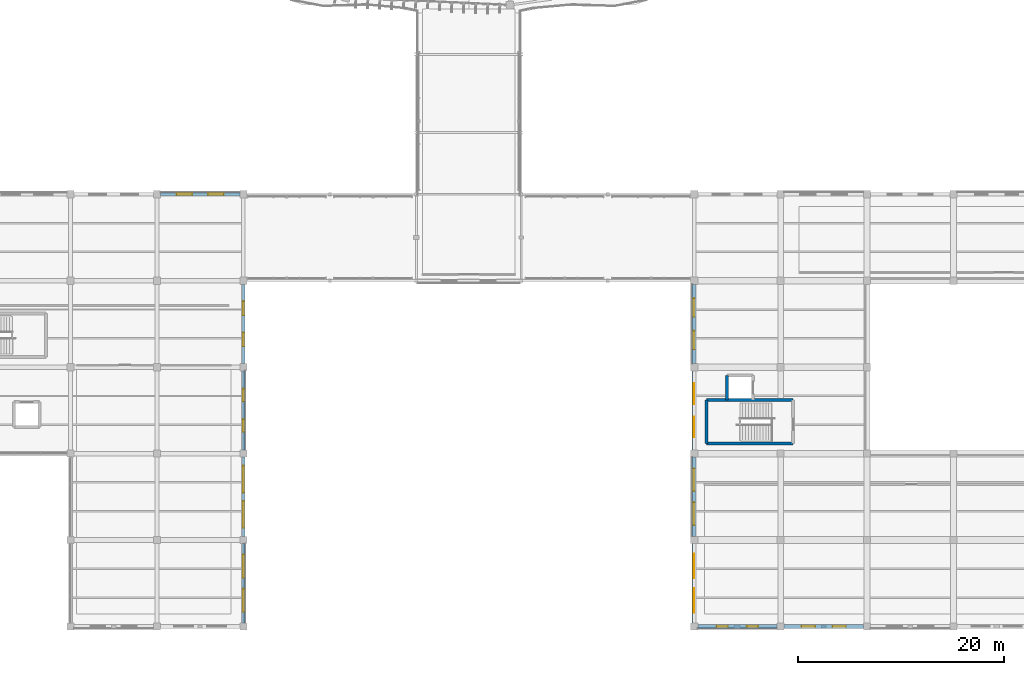
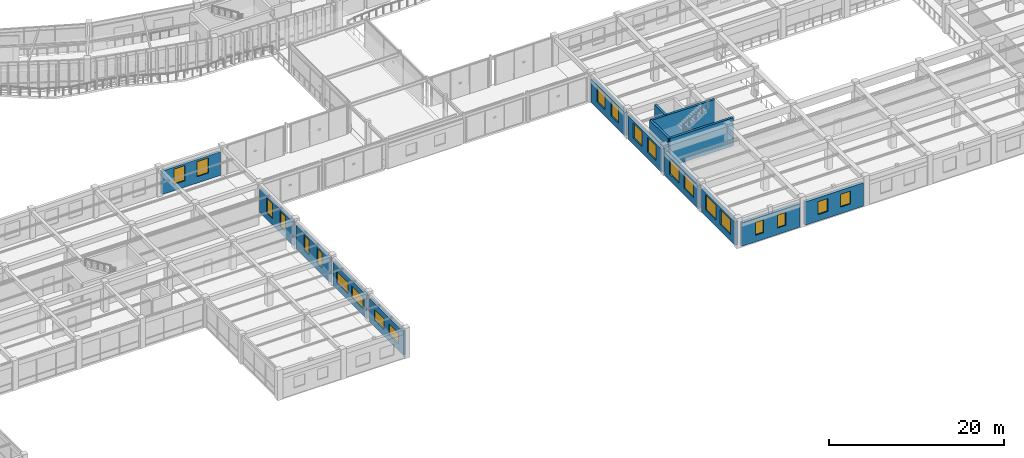
# One storey, part 120 of 152: 22 windows, 15 walls, 22 openings.
"""IFC4 building model written with IfcOpenShell, lengths in metres."""

import ifcopenshell
import ifcopenshell.guid

model = None  # the IFC model being written
_history = None  # IfcOwnerHistory: only IFC2X3 demands one
_inside = {}  # id of a spatial element -> (the spatial element, [elements in it])
_under = {}  # id of a project, library or spatial element -> (it, [spatial elements below it])
_declared = {}  # id of a project -> (the project, [libraries it declares])
_typed = {}  # id of a type object -> (the type object, [elements of that type])
_made_of = {}  # id of a material, layer set ... -> (it, [elements and type objects made of it])


def new_model(schema):
    """Start an empty IFC model of exactly this schema.

    Asked for "IFC4X3", IfcOpenShell would pick the latest addendum, in which some entities
    have other attributes; the version numbers below select the first issue.
    IFC2X3 requires an IfcOwnerHistory on every rooted entity: one is made here for all.
    """
    global model, _history
    if schema == "IFC4X3":
        model = ifcopenshell.file(schema_version=(4, 3, 0, 0))
    else:
        model = ifcopenshell.file(schema=schema)
    _inside.clear()
    _under.clear()
    _declared.clear()
    _typed.clear()
    _made_of.clear()
    _history = None
    if model.schema == "IFC2X3":
        org = make("IfcOrganization", Name="unknown")
        user = make(
            "IfcPersonAndOrganization",
            ThePerson=make("IfcPerson", FamilyName="unknown"),
            TheOrganization=org,
        )
        app = make(
            "IfcApplication",
            ApplicationDeveloper=org,
            Version="unknown",
            ApplicationFullName="unknown",
            ApplicationIdentifier="unknown",
        )
        _history = make(
            "IfcOwnerHistory",
            OwningUser=user,
            OwningApplication=app,
            ChangeAction="ADDED",
            CreationDate=0,
        )
    return model


def make(cls, **values):
    """One entity of the class cls with the attributes given. An attribute that is None is left unset."""
    return model.create_entity(
        cls, **{name: value for name, value in values.items() if value is not None}
    )


def rooted(cls, **values):
    """An entity with a GlobalId (a new one), such as an element, a storey or a relation."""
    return make(cls, GlobalId=ifcopenshell.guid.new(), OwnerHistory=_history, **values)


def si_unit(unit_type, name, prefix=None):
    """IfcSIUnit, for example si_unit("LENGTHUNIT", "METRE", prefix="MILLI")."""
    return make("IfcSIUnit", UnitType=unit_type, Prefix=prefix, Name=name)


def assignment(units):
    """IfcUnitAssignment: the units of a project."""
    return None if units is None else make("IfcUnitAssignment", Units=units)


def point(xyz):
    """IfcCartesianPoint."""
    return None if xyz is None else make("IfcCartesianPoint", Coordinates=xyz)


def direction(xyz):
    """IfcDirection."""
    return None if xyz is None else make("IfcDirection", DirectionRatios=xyz)


def frame(location, z_axis=None, x_axis=None):
    """IfcAxis2Placement3D, a coordinate frame: its origin and axes. An axis left out is left unset."""
    return make(
        "IfcAxis2Placement3D",
        Location=point(location),
        Axis=direction(z_axis),
        RefDirection=direction(x_axis),
    )


def frame_2d(location, x_axis=None):
    """IfcAxis2Placement2D, a coordinate frame in the plane: its origin and x axis."""
    return make(
        "IfcAxis2Placement2D", Location=point(location), RefDirection=direction(x_axis)
    )


def origin():
    """The frame at (0, 0, 0) with its axes left unset."""
    return frame((0.0, 0.0, 0.0))


def place(relative_to, where):
    """IfcLocalPlacement: puts the frame where relative to a parent placement (None: the world)."""
    return make(
        "IfcLocalPlacement", PlacementRelTo=relative_to, RelativePlacement=where
    )


def context(
    kind, dimensions, precision=None, world=None, true_north=None, identifier=None
):
    """IfcGeometricRepresentationContext, for example the 3D "Model" context."""
    return make(
        "IfcGeometricRepresentationContext",
        ContextIdentifier=identifier,
        ContextType=kind,
        CoordinateSpaceDimension=dimensions,
        Precision=precision,
        WorldCoordinateSystem=world,
        TrueNorth=true_north,
    )


def subcontext(parent, identifier, kind, view, scale=None):
    """IfcGeometricRepresentationSubContext, for example "Body" below "Model"."""
    return make(
        "IfcGeometricRepresentationSubContext",
        ContextIdentifier=identifier,
        ContextType=kind,
        ParentContext=parent,
        TargetScale=scale,
        TargetView=view,
    )


def project(units=None, contexts=None):
    """IfcProject with its units and contexts."""
    return rooted(
        "IfcProject",
        Name="project",
        RepresentationContexts=contexts,
        UnitsInContext=assignment(units),
    )


def spatial(cls, under=None, at=None, **own):
    """A site, building, storey or space (cls), placed at a placement, below another one or the project."""
    s = rooted(cls, ObjectPlacement=at, **own)
    if under is not None:
        _under.setdefault(under.id(), (under, []))[1].append(s)
    return s


def profile(cls, at=None, kind="AREA", **sizes):
    """A parametric profile (cls). Its sizes go by their IFC names, for example OverallWidth=200.0."""
    return make(cls, ProfileType=kind, Position=at, **sizes)


def rectangle(**sizes):
    """IfcRectangleProfileDef."""
    return profile("IfcRectangleProfileDef", **sizes)


def extrude(swept, where, along, depth):
    """IfcExtrudedAreaSolid: the profile swept, set in the frame where, extruded along a direction by depth."""
    return make(
        "IfcExtrudedAreaSolid",
        SweptArea=swept,
        Position=where,
        ExtrudedDirection=direction(along),
        Depth=depth,
    )


def shape(context_of_items, identifier, shape_type, items):
    """IfcShapeRepresentation: the items that make up one representation, for example the "Body"."""
    return make(
        "IfcShapeRepresentation",
        ContextOfItems=context_of_items,
        RepresentationIdentifier=identifier,
        RepresentationType=shape_type,
        Items=items,
    )


def material(Name=None, Category=None):
    """IfcMaterial."""
    return make("IfcMaterial", Name=Name, Category=Category)


def layer(
    of_material, thickness, ventilated=None, Name=None, Category=None, Priority=None
):
    """IfcMaterialLayer: one layer of a wall or slab, of a material (None: an air gap)."""
    return make(
        "IfcMaterialLayer",
        Material=of_material,
        LayerThickness=thickness,
        IsVentilated=ventilated,
        Name=Name,
        Category=Category,
        Priority=Priority,
    )


def layer_set(layers, Name=None):
    """IfcMaterialLayerSet."""
    return make("IfcMaterialLayerSet", MaterialLayers=layers, LayerSetName=Name)


def made_of(thing, what):
    """Note that an element or type object is made of a material, layer set ...; save() writes the relation."""
    if what is not None:
        _made_of.setdefault(what.id(), (what, []))[1].append(thing)
    return thing


def type_object(cls, material=None, **own):
    """A type object (cls), such as IfcWallType, which elements share."""
    return made_of(rooted(cls, **own), material)


def element(
    cls,
    number,
    at=None,
    inside=None,
    cuts=None,
    type_object=None,
    material=None,
    context=None,
    identifier="Body",
    shape_type=None,
    held_by="IfcProductDefinitionShape",
    body=None,
    shapes=None,
    **own,
):
    """One element of the class cls, such as IfcWall. Its Tag is "e" and its number.

    at: its placement. inside: the storey or other place that contains it. cuts: it is an
    opening in that element (IfcRelVoidsElement). A single representation is given by context,
    identifier, shape_type and body (its items); several are given by shapes. held_by: the class
    of the entity that holds the representations. save() writes the other relations.
    """
    e = rooted(cls, Tag="e%d" % number, ObjectPlacement=at, **own)
    if body is not None:
        shapes = [shape(context, identifier, shape_type, body)]
    if shapes is not None:
        e.Representation = make(held_by, Representations=shapes)
    if inside is not None:
        _inside.setdefault(inside.id(), (inside, []))[1].append(e)
    if cuts is not None:
        rooted(
            "IfcRelVoidsElement", RelatingBuildingElement=cuts, RelatedOpeningElement=e
        )
    if type_object is not None:
        _typed.setdefault(type_object.id(), (type_object, []))[1].append(e)
    return made_of(e, material)


def fill(opening, filler):
    """IfcRelFillsElement: the door or window that sits in an opening."""
    return rooted(
        "IfcRelFillsElement",
        RelatingOpeningElement=opening,
        RelatedBuildingElement=filler,
    )


def aggregate(whole, parts):
    """IfcRelAggregates: a whole, such as a stair, and the parts it consists of."""
    return rooted("IfcRelAggregates", RelatingObject=whole, RelatedObjects=parts)


def save(model, path):
    """Write the relations noted so far, then the file.

    IfcRelAggregates (storeys below a building ...), IfcRelContainedInSpatialStructure (elements
    in a storey), IfcRelDefinesByType, IfcRelAssociatesMaterial and IfcRelDeclares: one each for
    every whole, place, type object, material and project.
    """
    for whole, parts in _under.values():
        aggregate(whole, parts)
    for where, things in _inside.values():
        rooted(
            "IfcRelContainedInSpatialStructure",
            RelatedElements=things,
            RelatingStructure=where,
        )
    for kind, things in _typed.values():
        rooted("IfcRelDefinesByType", RelatedObjects=things, RelatingType=kind)
    for what, things in _made_of.values():
        rooted("IfcRelAssociatesMaterial", RelatedObjects=things, RelatingMaterial=what)
    for by, libraries in _declared.values():
        rooted("IfcRelDeclares", RelatingContext=by, RelatedDefinitions=libraries)
    model.write(path)


model = new_model("IFC4")

# Units and contexts
model_context = context("Model", 3, precision=1e-05, world=origin(), true_north=direction((0.0, 1.0)))
body_context = subcontext(model_context, "Body", "Model", "MODEL_VIEW")
ifc_project = project(units=[si_unit("LENGTHUNIT", "METRE"), si_unit("AREAUNIT", "SQUARE_METRE"), si_unit("VOLUMEUNIT", "CUBIC_METRE"), si_unit("PLANEANGLEUNIT", "RADIAN"), si_unit("MASSUNIT", "GRAM", prefix="KILO"), si_unit("THERMODYNAMICTEMPERATUREUNIT", "KELVIN"), si_unit("POWERUNIT", "WATT")], contexts=[model_context])

# Site, building, storey
site_placement = place(None, origin())
site = spatial("IfcSite", under=ifc_project, at=site_placement, CompositionType="ELEMENT")
building_placement = place(site_placement, origin())
building = spatial("IfcBuilding", under=site, at=building_placement, Name="Darbajah Civic Hall", CompositionType="ELEMENT")
storey_placement = place(building_placement, frame((0.0, 0.0, 5.39990234375)))
storey = spatial("IfcBuildingStorey", under=building, at=storey_placement, Name="L01", CompositionType="ELEMENT", Elevation=5.39990234375)

# Walls
ifc_material_1 = material(Name="Concrete C45/55", Category="concrete")
ifc_layer_1 = layer(ifc_material_1, 0.300048828125, Name="Concrete C45/55")
ifc_layer_set_1 = layer_set([ifc_layer_1], Name="Concrete C45/55")
wall_type_1 = type_object("IfcWallType", Name="Core Shear Wall 300mm", PredefinedType="SHEAR", material=ifc_layer_set_1)
for number, where, z_axis, x_axis, name in (
    (1, (112.199951171875, 17.800048828125, 0.0), (0.0, 0.0, 1.0), (1.0, 0.0, 0.0), "L01 core C06 shear wall S"),
    (2, (120.60009765625, 22.0, 0.0), (0.0, 0.0, 1.0), (-1.0, 0.0, 0.0), "L01 core C06 shear wall N"),
):
    element("IfcWall", number, at=place(storey_placement, frame(where, z_axis=z_axis, x_axis=x_axis)), inside=storey, type_object=wall_type_1, Name=name, PredefinedType="SHEAR", context=body_context, shape_type="SweptSolid", body=[
        extrude(rectangle(XDim=8.400146484375, YDim=0.300048828125, at=frame_2d((4.2001953125, 0.0))), origin(), (0.0, 0.0, 1.0), 3.920166015625),
    ])
wall_1_placement = place(storey_placement, frame((112.199951171875, 22.0, 0.0), z_axis=(0.0, 0.0, 1.0), x_axis=(0.0, -1.0, 0.0)))
element("IfcWall", 3, at=wall_1_placement, inside=storey, type_object=wall_type_1, Name="L01 core C06 shear wall W", PredefinedType="SHEAR", context=body_context, shape_type="SweptSolid", body=[
    extrude(rectangle(XDim=4.199951171875, YDim=0.300048828125, at=frame_2d((2.10009765625, 0.0))), origin(), (0.0, 0.0, 1.0), 3.920166015625),
])
wall_2_placement = place(storey_placement, frame((114.199951171875, 24.39990234375, 0.0), z_axis=(0.0, 0.0, 1.0), x_axis=(0.0, -1.0, 0.0)))
element("IfcWall", 4, at=wall_2_placement, inside=storey, type_object=wall_type_1, Name="L01 lift PL3 shaft wall W", PredefinedType="SHEAR", context=body_context, shape_type="SweptSolid", body=[
    extrude(rectangle(XDim=2.39990234375, YDim=0.300048828125, at=frame_2d((1.199951171875, 0.0))), origin(), (0.0, 0.0, 1.0), 3.920166015625),
])

# Wall, openings, windows
ifc_material_2 = material(Name="Red Dholpur Sandstone Cladding", Category="masonry")
ifc_layer_2 = layer(ifc_material_2, 0.31005859375, Name="Red Dholpur Sandstone Cladding")
ifc_layer_set_2 = layer_set([ifc_layer_2], Name="Red Dholpur Sandstone Cladding")
wall_type_2 = type_object("IfcWallType", Name="Exterior Wall 310mm", PredefinedType="SOLIDWALL", material=ifc_layer_set_2)
wall_3_placement = place(storey_placement, frame((67.199951171875, 0.35205078125, 0.0), z_axis=(0.0, 0.0, 1.0), x_axis=(0.0, 1.0, 0.0)))
wall_3 = element("IfcWall", 5, at=wall_3_placement, inside=storey, type_object=wall_type_2, Name="L01 exterior wall EW-310", PredefinedType="SOLIDWALL", context=body_context, shape_type="SweptSolid", body=[
    extrude(rectangle(XDim=7.696044921875, YDim=0.31005859375, at=frame_2d((3.84814453125, 0.0))), origin(), (0.0, 0.0, 1.0), 3.2900390625),
])
opening_1_placement = place(wall_3_placement, frame((1.065185546875, 0.0, 0.89990234375)))
opening_1 = element("IfcOpeningElement", 6, at=opening_1_placement, cuts=wall_3, Name="Opening WN-27", PredefinedType="OPENING", context=body_context, shape_type="SweptSolid", body=[
    extrude(rectangle(XDim=2.25, YDim=1.5, at=frame_2d((1.125, 0.75))), frame((0.0, 0.1650390625, 0.0), z_axis=(0.0, -1.0, 0.0), x_axis=(1.0, 0.0, 0.0)), (0.0, 0.0, 1.0), 0.330078125),
])
opening_2_placement = place(wall_3_placement, frame((4.380615234375, 0.0, 0.89990234375)))
opening_2 = element("IfcOpeningElement", 7, at=opening_2_placement, cuts=wall_3, Name="Opening WN-27", PredefinedType="OPENING", context=body_context, shape_type="SweptSolid", body=[
    extrude(rectangle(XDim=2.25, YDim=1.5, at=frame_2d((1.125, 0.75))), frame((0.0, 0.1650390625, 0.0), z_axis=(0.0, -1.0, 0.0), x_axis=(1.0, 0.0, 0.0)), (0.0, 0.0, 1.0), 0.330078125),
])
ifc_material_3 = material(Name="Low-E Solar Control Double Glazing", Category="glass")
window_type_1 = type_object("IfcWindowType", Name="Facade Window 2250x1500", PartitioningType="DOUBLE_PANEL_VERTICAL", PredefinedType="WINDOW", material=ifc_material_3)
window_1_placement = place(opening_1_placement, origin())
window_1 = element("IfcWindow", 8, at=window_1_placement, inside=storey, type_object=window_type_1, Name="L01 facade window WN-27", OverallHeight=1.5, OverallWidth=2.25, PartitioningType="SINGLE_PANEL", PredefinedType="WINDOW", context=body_context, shape_type="SweptSolid", body=[
    extrude(rectangle(XDim=2.25, YDim=1.5, at=frame_2d((1.125, 0.75))), frame((0.0, 0.030029296875, 0.0), z_axis=(0.0, -1.0, 0.0), x_axis=(1.0, 0.0, 0.0)), (0.0, 0.0, 1.0), 0.06005859375),
])
fill(opening_1, window_1)
window_2_placement = place(opening_2_placement, origin())
window_2 = element("IfcWindow", 9, at=window_2_placement, inside=storey, type_object=window_type_1, Name="L01 facade window WN-27", OverallHeight=1.5, OverallWidth=2.25, PartitioningType="SINGLE_PANEL", PredefinedType="WINDOW", context=body_context, shape_type="SweptSolid", body=[
    extrude(rectangle(XDim=2.25, YDim=1.5, at=frame_2d((1.125, 0.75))), frame((0.0, 0.030029296875, 0.0), z_axis=(0.0, -1.0, 0.0), x_axis=(1.0, 0.0, 0.0)), (0.0, 0.0, 1.0), 0.06005859375),
])
fill(opening_2, window_2)

wall_4_placement = place(storey_placement, frame((67.199951171875, 8.751953125, 0.0), z_axis=(0.0, 0.0, 1.0), x_axis=(0.0, 1.0, 0.0)))
wall_4 = element("IfcWall", 10, at=wall_4_placement, inside=storey, type_object=wall_type_2, Name="L01 exterior wall EW-310", PredefinedType="SOLIDWALL", context=body_context, shape_type="SweptSolid", body=[
    extrude(rectangle(XDim=7.696044921875, YDim=0.31005859375, at=frame_2d((3.84814453125, 0.0))), origin(), (0.0, 0.0, 1.0), 3.2900390625),
])
opening_3_placement = place(wall_4_placement, frame((0.83203125, 0.0, 0.89990234375)))
opening_3 = element("IfcOpeningElement", 11, at=opening_3_placement, cuts=wall_4, Name="Opening WN-28", PredefinedType="OPENING", context=body_context, shape_type="SweptSolid", body=[
    extrude(rectangle(XDim=2.60009765625, YDim=1.60009765625, at=frame_2d((1.300048828125, 0.800048828125))), frame((0.0, 0.1650390625, 0.0), z_axis=(0.0, -1.0, 0.0), x_axis=(1.0, 0.0, 0.0)), (0.0, 0.0, 1.0), 0.330078125),
])
opening_4_placement = place(wall_4_placement, frame((4.263916015625, 0.0, 0.89990234375)))
opening_4 = element("IfcOpeningElement", 12, at=opening_4_placement, cuts=wall_4, Name="Opening WN-28", PredefinedType="OPENING", context=body_context, shape_type="SweptSolid", body=[
    extrude(rectangle(XDim=2.60009765625, YDim=1.60009765625, at=frame_2d((1.300048828125, 0.800048828125))), frame((0.0, 0.1650390625, 0.0), z_axis=(0.0, -1.0, 0.0), x_axis=(1.0, 0.0, 0.0)), (0.0, 0.0, 1.0), 0.330078125),
])
window_type_2 = type_object("IfcWindowType", Name="Facade Window 2600x1600", PartitioningType="DOUBLE_PANEL_VERTICAL", PredefinedType="WINDOW", material=ifc_material_3)
window_3_placement = place(opening_3_placement, origin())
window_3 = element("IfcWindow", 13, at=window_3_placement, inside=storey, type_object=window_type_2, Name="L01 facade window WN-28", OverallHeight=1.60009765625, OverallWidth=2.60009765625, PartitioningType="SINGLE_PANEL", PredefinedType="WINDOW", context=body_context, shape_type="SweptSolid", body=[
    extrude(rectangle(XDim=2.60009765625, YDim=1.60009765625, at=frame_2d((1.300048828125, 0.800048828125))), frame((0.0, 0.030029296875, 0.0), z_axis=(0.0, -1.0, 0.0), x_axis=(1.0, 0.0, 0.0)), (0.0, 0.0, 1.0), 0.06005859375),
])
fill(opening_3, window_3)
window_4_placement = place(opening_4_placement, origin())
window_4 = element("IfcWindow", 14, at=window_4_placement, inside=storey, type_object=window_type_2, Name="L01 facade window WN-28", OverallHeight=1.60009765625, OverallWidth=2.60009765625, PartitioningType="SINGLE_PANEL", PredefinedType="WINDOW", context=body_context, shape_type="SweptSolid", body=[
    extrude(rectangle(XDim=2.60009765625, YDim=1.60009765625, at=frame_2d((1.300048828125, 0.800048828125))), frame((0.0, 0.030029296875, 0.0), z_axis=(0.0, -1.0, 0.0), x_axis=(1.0, 0.0, 0.0)), (0.0, 0.0, 1.0), 0.06005859375),
])
fill(opening_4, window_4)

wall_5_placement = place(storey_placement, frame((67.199951171875, 17.152099609375, 0.0), z_axis=(0.0, 0.0, 1.0), x_axis=(0.0, 1.0, 0.0)))
wall_5 = element("IfcWall", 15, at=wall_5_placement, inside=storey, type_object=wall_type_2, Name="L01 exterior wall EW-310", PredefinedType="SOLIDWALL", context=body_context, shape_type="SweptSolid", body=[
    extrude(rectangle(XDim=7.69580078125, YDim=0.31005859375, at=frame_2d((3.847900390625, 0.0))), origin(), (0.0, 0.0, 1.0), 3.2900390625),
])
opening_5_placement = place(wall_5_placement, frame((1.765380859375, 0.0, 0.89990234375)))
opening_5 = element("IfcOpeningElement", 16, at=opening_5_placement, cuts=wall_5, Name="Opening WN-01", PredefinedType="OPENING", context=body_context, shape_type="SweptSolid", body=[
    extrude(rectangle(XDim=1.199951171875, YDim=2.10009765625, at=frame_2d((0.60009765625, 1.050048828125))), frame((0.0, 0.1650390625, 0.0), z_axis=(0.0, -1.0, 0.0), x_axis=(1.0, 0.0, 0.0)), (0.0, 0.0, 1.0), 0.330078125),
])
opening_6_placement = place(wall_5_placement, frame((4.730712890625, 0.0, 0.89990234375)))
opening_6 = element("IfcOpeningElement", 17, at=opening_6_placement, cuts=wall_5, Name="Opening WN-01", PredefinedType="OPENING", context=body_context, shape_type="SweptSolid", body=[
    extrude(rectangle(XDim=1.199951171875, YDim=2.10009765625, at=frame_2d((0.60009765625, 1.050048828125))), frame((0.0, 0.1650390625, 0.0), z_axis=(0.0, -1.0, 0.0), x_axis=(1.0, 0.0, 0.0)), (0.0, 0.0, 1.0), 0.330078125),
])
window_type_3 = type_object("IfcWindowType", Name="Facade Window 1200x2100", PartitioningType="SINGLE_PANEL", PredefinedType="WINDOW", material=ifc_material_3)
window_5_placement = place(opening_5_placement, origin())
window_5 = element("IfcWindow", 18, at=window_5_placement, inside=storey, type_object=window_type_3, Name="L01 facade window WN-01", OverallHeight=2.10009765625, OverallWidth=1.199951171875, PartitioningType="SINGLE_PANEL", PredefinedType="WINDOW", context=body_context, shape_type="SweptSolid", body=[
    extrude(rectangle(XDim=1.199951171875, YDim=2.10009765625, at=frame_2d((0.60009765625, 1.050048828125))), frame((0.0, 0.030029296875, 0.0), z_axis=(0.0, -1.0, 0.0), x_axis=(1.0, 0.0, 0.0)), (0.0, 0.0, 1.0), 0.06005859375),
])
fill(opening_5, window_5)
window_6_placement = place(opening_6_placement, origin())
window_6 = element("IfcWindow", 19, at=window_6_placement, inside=storey, type_object=window_type_3, Name="L01 facade window WN-01", OverallHeight=2.10009765625, OverallWidth=1.199951171875, PartitioningType="SINGLE_PANEL", PredefinedType="WINDOW", context=body_context, shape_type="SweptSolid", body=[
    extrude(rectangle(XDim=1.199951171875, YDim=2.10009765625, at=frame_2d((0.60009765625, 1.050048828125))), frame((0.0, 0.030029296875, 0.0), z_axis=(0.0, -1.0, 0.0), x_axis=(1.0, 0.0, 0.0)), (0.0, 0.0, 1.0), 0.06005859375),
])
fill(opening_6, window_6)

wall_6_placement = place(storey_placement, frame((67.199951171875, 25.552001953125, 0.0), z_axis=(0.0, 0.0, 1.0), x_axis=(0.0, 1.0, 0.0)))
wall_6 = element("IfcWall", 20, at=wall_6_placement, inside=storey, type_object=wall_type_2, Name="L01 exterior wall EW-310", PredefinedType="SOLIDWALL", context=body_context, shape_type="SweptSolid", body=[
    extrude(rectangle(XDim=7.696044921875, YDim=0.31005859375, at=frame_2d((3.84814453125, 0.0))), origin(), (0.0, 0.0, 1.0), 3.2900390625),
])
opening_7_placement = place(wall_6_placement, frame((1.665283203125, 0.0, 0.89990234375)))
opening_7 = element("IfcOpeningElement", 21, at=opening_7_placement, cuts=wall_6, Name="Opening WN-02", PredefinedType="OPENING", context=body_context, shape_type="SweptSolid", body=[
    extrude(rectangle(XDim=1.35009765625, YDim=2.10009765625, at=frame_2d((0.675048828125, 1.050048828125))), frame((0.0, 0.1650390625, 0.0), z_axis=(0.0, -1.0, 0.0), x_axis=(1.0, 0.0, 0.0)), (0.0, 0.0, 1.0), 0.330078125),
])
opening_8_placement = place(wall_6_placement, frame((4.6806640625, 0.0, 0.89990234375)))
opening_8 = element("IfcOpeningElement", 22, at=opening_8_placement, cuts=wall_6, Name="Opening WN-02", PredefinedType="OPENING", context=body_context, shape_type="SweptSolid", body=[
    extrude(rectangle(XDim=1.35009765625, YDim=2.10009765625, at=frame_2d((0.675048828125, 1.050048828125))), frame((0.0, 0.1650390625, 0.0), z_axis=(0.0, -1.0, 0.0), x_axis=(1.0, 0.0, 0.0)), (0.0, 0.0, 1.0), 0.330078125),
])
window_type_4 = type_object("IfcWindowType", Name="Facade Window 1350x2100", PartitioningType="SINGLE_PANEL", PredefinedType="WINDOW", material=ifc_material_3)
window_7_placement = place(opening_7_placement, origin())
window_7 = element("IfcWindow", 23, at=window_7_placement, inside=storey, type_object=window_type_4, Name="L01 facade window WN-02", OverallHeight=2.10009765625, OverallWidth=1.35009765625, PartitioningType="SINGLE_PANEL", PredefinedType="WINDOW", context=body_context, shape_type="SweptSolid", body=[
    extrude(rectangle(XDim=1.35009765625, YDim=2.10009765625, at=frame_2d((0.675048828125, 1.050048828125))), frame((0.0, 0.030029296875, 0.0), z_axis=(0.0, -1.0, 0.0), x_axis=(1.0, 0.0, 0.0)), (0.0, 0.0, 1.0), 0.06005859375),
])
fill(opening_7, window_7)
window_8_placement = place(opening_8_placement, origin())
window_8 = element("IfcWindow", 24, at=window_8_placement, inside=storey, type_object=window_type_4, Name="L01 facade window WN-02", OverallHeight=2.10009765625, OverallWidth=1.35009765625, PartitioningType="SINGLE_PANEL", PredefinedType="WINDOW", context=body_context, shape_type="SweptSolid", body=[
    extrude(rectangle(XDim=1.35009765625, YDim=2.10009765625, at=frame_2d((0.675048828125, 1.050048828125))), frame((0.0, 0.030029296875, 0.0), z_axis=(0.0, -1.0, 0.0), x_axis=(1.0, 0.0, 0.0)), (0.0, 0.0, 1.0), 0.06005859375),
])
fill(opening_8, window_8)

wall_7_placement = place(storey_placement, frame((66.847900390625, 42.0, 0.0), z_axis=(0.0, 0.0, 1.0), x_axis=(-1.0, 0.0, 0.0)))
wall_7 = element("IfcWall", 25, at=wall_7_placement, inside=storey, type_object=wall_type_2, Name="L01 exterior wall EW-310", PredefinedType="SOLIDWALL", context=body_context, shape_type="SweptSolid", body=[
    extrude(rectangle(XDim=7.69580078125, YDim=0.31005859375, at=frame_2d((3.847900390625, 0.0))), origin(), (0.0, 0.0, 1.0), 3.2900390625),
])
opening_9_placement = place(wall_7_placement, frame((1.565185546875, 0.0, 0.89990234375)))
opening_9 = element("IfcOpeningElement", 26, at=opening_9_placement, cuts=wall_7, Name="Opening WN-03", PredefinedType="OPENING", context=body_context, shape_type="SweptSolid", body=[
    extrude(rectangle(XDim=1.5, YDim=2.10009765625, at=frame_2d((0.75, 1.050048828125))), frame((0.0, 0.1650390625, 0.0), z_axis=(0.0, -1.0, 0.0), x_axis=(1.0, 0.0, 0.0)), (0.0, 0.0, 1.0), 0.330078125),
])
opening_10_placement = place(wall_7_placement, frame((4.630615234375, 0.0, 0.89990234375)))
opening_10 = element("IfcOpeningElement", 27, at=opening_10_placement, cuts=wall_7, Name="Opening WN-03", PredefinedType="OPENING", context=body_context, shape_type="SweptSolid", body=[
    extrude(rectangle(XDim=1.5, YDim=2.10009765625, at=frame_2d((0.75, 1.050048828125))), frame((0.0, 0.1650390625, 0.0), z_axis=(0.0, -1.0, 0.0), x_axis=(1.0, 0.0, 0.0)), (0.0, 0.0, 1.0), 0.330078125),
])
window_type_5 = type_object("IfcWindowType", Name="Facade Window 1500x2100", PartitioningType="SINGLE_PANEL", PredefinedType="WINDOW", material=ifc_material_3)
window_9_placement = place(opening_9_placement, origin())
window_9 = element("IfcWindow", 28, at=window_9_placement, inside=storey, type_object=window_type_5, Name="L01 facade window WN-03", OverallHeight=2.10009765625, OverallWidth=1.5, PartitioningType="SINGLE_PANEL", PredefinedType="WINDOW", context=body_context, shape_type="SweptSolid", body=[
    extrude(rectangle(XDim=1.5, YDim=2.10009765625, at=frame_2d((0.75, 1.050048828125))), frame((0.0, 0.030029296875, 0.0), z_axis=(0.0, -1.0, 0.0), x_axis=(1.0, 0.0, 0.0)), (0.0, 0.0, 1.0), 0.06005859375),
])
fill(opening_9, window_9)
window_10_placement = place(opening_10_placement, origin())
window_10 = element("IfcWindow", 29, at=window_10_placement, inside=storey, type_object=window_type_5, Name="L01 facade window WN-03", OverallHeight=2.10009765625, OverallWidth=1.5, PartitioningType="SINGLE_PANEL", PredefinedType="WINDOW", context=body_context, shape_type="SweptSolid", body=[
    extrude(rectangle(XDim=1.5, YDim=2.10009765625, at=frame_2d((0.75, 1.050048828125))), frame((0.0, 0.030029296875, 0.0), z_axis=(0.0, -1.0, 0.0), x_axis=(1.0, 0.0, 0.0)), (0.0, 0.0, 1.0), 0.06005859375),
])
fill(opening_10, window_10)

ifc_layer_3 = layer(ifc_material_2, 0.3798828125, Name="Red Dholpur Sandstone Cladding")
ifc_layer_set_3 = layer_set([ifc_layer_3], Name="Red Dholpur Sandstone Cladding")
wall_type_3 = type_object("IfcWallType", Name="Exterior Wall 380mm", PredefinedType="SOLIDWALL", material=ifc_layer_set_3)
wall_8_placement = place(storey_placement, frame((111.35205078125, 0.0, 0.0), z_axis=(0.0, 0.0, 1.0), x_axis=(1.0, 0.0, 0.0)))
wall_8 = element("IfcWall", 30, at=wall_8_placement, inside=storey, type_object=wall_type_3, Name="L01 exterior wall EW-380", PredefinedType="SOLIDWALL", context=body_context, shape_type="SweptSolid", body=[
    extrude(rectangle(XDim=7.696044921875, YDim=0.3798828125, at=frame_2d((3.84814453125, 0.0))), origin(), (0.0, 0.0, 1.0), 3.25),
])
opening_11_placement = place(wall_8_placement, frame((1.83203125, 0.0, 0.89990234375)))
opening_11 = element("IfcOpeningElement", 31, at=opening_11_placement, cuts=wall_8, Name="Opening WN-17", PredefinedType="OPENING", context=body_context, shape_type="SweptSolid", body=[
    extrude(rectangle(XDim=1.10009765625, YDim=1.800048828125, at=frame_2d((0.550048828125, 0.89990234375))), frame((0.0, 0.199951171875, 0.0), z_axis=(0.0, -1.0, 0.0), x_axis=(1.0, 0.0, 0.0)), (0.0, 0.0, 1.0), 0.39990234375),
])
opening_12_placement = place(wall_8_placement, frame((4.763916015625, 0.0, 0.89990234375)))
opening_12 = element("IfcOpeningElement", 32, at=opening_12_placement, cuts=wall_8, Name="Opening WN-17", PredefinedType="OPENING", context=body_context, shape_type="SweptSolid", body=[
    extrude(rectangle(XDim=1.10009765625, YDim=1.800048828125, at=frame_2d((0.550048828125, 0.89990234375))), frame((0.0, 0.199951171875, 0.0), z_axis=(0.0, -1.0, 0.0), x_axis=(1.0, 0.0, 0.0)), (0.0, 0.0, 1.0), 0.39990234375),
])
window_type_6 = type_object("IfcWindowType", Name="Facade Window 1100x1800", PartitioningType="SINGLE_PANEL", PredefinedType="WINDOW", material=ifc_material_3)
window_11_placement = place(opening_11_placement, origin())
window_11 = element("IfcWindow", 33, at=window_11_placement, inside=storey, type_object=window_type_6, Name="L01 facade window WN-17", OverallHeight=1.800048828125, OverallWidth=1.10009765625, PartitioningType="SINGLE_PANEL", PredefinedType="WINDOW", context=body_context, shape_type="SweptSolid", body=[
    extrude(rectangle(XDim=1.10009765625, YDim=1.800048828125, at=frame_2d((0.550048828125, 0.89990234375))), frame((0.0, 0.030029296875, 0.0), z_axis=(0.0, -1.0, 0.0), x_axis=(1.0, 0.0, 0.0)), (0.0, 0.0, 1.0), 0.06005859375),
])
fill(opening_11, window_11)
window_12_placement = place(opening_12_placement, origin())
window_12 = element("IfcWindow", 34, at=window_12_placement, inside=storey, type_object=window_type_6, Name="L01 facade window WN-17", OverallHeight=1.800048828125, OverallWidth=1.10009765625, PartitioningType="SINGLE_PANEL", PredefinedType="WINDOW", context=body_context, shape_type="SweptSolid", body=[
    extrude(rectangle(XDim=1.10009765625, YDim=1.800048828125, at=frame_2d((0.550048828125, 0.89990234375))), frame((0.0, 0.030029296875, 0.0), z_axis=(0.0, -1.0, 0.0), x_axis=(1.0, 0.0, 0.0)), (0.0, 0.0, 1.0), 0.06005859375),
])
fill(opening_12, window_12)

wall_9_placement = place(storey_placement, frame((119.751953125, 0.0, 0.0), z_axis=(0.0, 0.0, 1.0), x_axis=(1.0, 0.0, 0.0)))
wall_9 = element("IfcWall", 35, at=wall_9_placement, inside=storey, type_object=wall_type_3, Name="L01 exterior wall EW-380", PredefinedType="SOLIDWALL", context=body_context, shape_type="SweptSolid", body=[
    extrude(rectangle(XDim=7.696044921875, YDim=0.3798828125, at=frame_2d((3.84814453125, 0.0))), origin(), (0.0, 0.0, 1.0), 3.25),
])
opening_13_placement = place(wall_9_placement, frame((1.69873046875, 0.0, 0.89990234375)))
opening_13 = element("IfcOpeningElement", 36, at=opening_13_placement, cuts=wall_9, Name="Opening WN-18", PredefinedType="OPENING", context=body_context, shape_type="SweptSolid", body=[
    extrude(rectangle(XDim=1.300048828125, YDim=1.800048828125, at=frame_2d((0.64990234375, 0.89990234375))), frame((0.0, 0.199951171875, 0.0), z_axis=(0.0, -1.0, 0.0), x_axis=(1.0, 0.0, 0.0)), (0.0, 0.0, 1.0), 0.39990234375),
])
opening_14_placement = place(wall_9_placement, frame((4.697265625, 0.0, 0.89990234375)))
opening_14 = element("IfcOpeningElement", 37, at=opening_14_placement, cuts=wall_9, Name="Opening WN-18", PredefinedType="OPENING", context=body_context, shape_type="SweptSolid", body=[
    extrude(rectangle(XDim=1.300048828125, YDim=1.800048828125, at=frame_2d((0.64990234375, 0.89990234375))), frame((0.0, 0.199951171875, 0.0), z_axis=(0.0, -1.0, 0.0), x_axis=(1.0, 0.0, 0.0)), (0.0, 0.0, 1.0), 0.39990234375),
])
window_type_7 = type_object("IfcWindowType", Name="Facade Window 1300x1800", PartitioningType="SINGLE_PANEL", PredefinedType="WINDOW", material=ifc_material_3)
window_13_placement = place(opening_13_placement, origin())
window_13 = element("IfcWindow", 38, at=window_13_placement, inside=storey, type_object=window_type_7, Name="L01 facade window WN-18", OverallHeight=1.800048828125, OverallWidth=1.300048828125, PartitioningType="SINGLE_PANEL", PredefinedType="WINDOW", context=body_context, shape_type="SweptSolid", body=[
    extrude(rectangle(XDim=1.300048828125, YDim=1.800048828125, at=frame_2d((0.64990234375, 0.89990234375))), frame((0.0, 0.030029296875, 0.0), z_axis=(0.0, -1.0, 0.0), x_axis=(1.0, 0.0, 0.0)), (0.0, 0.0, 1.0), 0.06005859375),
])
fill(opening_13, window_13)
window_14_placement = place(opening_14_placement, origin())
window_14 = element("IfcWindow", 39, at=window_14_placement, inside=storey, type_object=window_type_7, Name="L01 facade window WN-18", OverallHeight=1.800048828125, OverallWidth=1.300048828125, PartitioningType="SINGLE_PANEL", PredefinedType="WINDOW", context=body_context, shape_type="SweptSolid", body=[
    extrude(rectangle(XDim=1.300048828125, YDim=1.800048828125, at=frame_2d((0.64990234375, 0.89990234375))), frame((0.0, 0.030029296875, 0.0), z_axis=(0.0, -1.0, 0.0), x_axis=(1.0, 0.0, 0.0)), (0.0, 0.0, 1.0), 0.06005859375),
])
fill(opening_14, window_14)

wall_10_placement = place(storey_placement, frame((111.0, 33.248046875, 0.0), z_axis=(0.0, 0.0, 1.0), x_axis=(0.0, -1.0, 0.0)))
wall_10 = element("IfcWall", 40, at=wall_10_placement, inside=storey, type_object=wall_type_3, Name="L01 exterior wall EW-380", PredefinedType="SOLIDWALL", context=body_context, shape_type="SweptSolid", body=[
    extrude(rectangle(XDim=7.696044921875, YDim=0.3798828125, at=frame_2d((3.84814453125, 0.0))), origin(), (0.0, 0.0, 1.0), 3.25),
])
opening_15_placement = place(wall_10_placement, frame((1.365234375, 0.0, 0.89990234375)))
opening_15 = element("IfcOpeningElement", 41, at=opening_15_placement, cuts=wall_10, Name="Opening WN-05", PredefinedType="OPENING", context=body_context, shape_type="SweptSolid", body=[
    extrude(rectangle(XDim=1.800048828125, YDim=2.10009765625, at=frame_2d((0.89990234375, 1.050048828125))), frame((0.0, 0.199951171875, 0.0), z_axis=(0.0, -1.0, 0.0), x_axis=(1.0, 0.0, 0.0)), (0.0, 0.0, 1.0), 0.39990234375),
])
opening_16_placement = place(wall_10_placement, frame((4.53076171875, 0.0, 0.89990234375)))
opening_16 = element("IfcOpeningElement", 42, at=opening_16_placement, cuts=wall_10, Name="Opening WN-05", PredefinedType="OPENING", context=body_context, shape_type="SweptSolid", body=[
    extrude(rectangle(XDim=1.800048828125, YDim=2.10009765625, at=frame_2d((0.89990234375, 1.050048828125))), frame((0.0, 0.199951171875, 0.0), z_axis=(0.0, -1.0, 0.0), x_axis=(1.0, 0.0, 0.0)), (0.0, 0.0, 1.0), 0.39990234375),
])
window_type_8 = type_object("IfcWindowType", Name="Facade Window 1800x2100", PartitioningType="DOUBLE_PANEL_VERTICAL", PredefinedType="WINDOW", material=ifc_material_3)
window_15_placement = place(opening_15_placement, origin())
window_15 = element("IfcWindow", 43, at=window_15_placement, inside=storey, type_object=window_type_8, Name="L01 facade window WN-05", OverallHeight=2.10009765625, OverallWidth=1.800048828125, PartitioningType="SINGLE_PANEL", PredefinedType="WINDOW", context=body_context, shape_type="SweptSolid", body=[
    extrude(rectangle(XDim=1.800048828125, YDim=2.10009765625, at=frame_2d((0.89990234375, 1.050048828125))), frame((0.0, 0.030029296875, 0.0), z_axis=(0.0, -1.0, 0.0), x_axis=(1.0, 0.0, 0.0)), (0.0, 0.0, 1.0), 0.06005859375),
])
fill(opening_15, window_15)
window_16_placement = place(opening_16_placement, origin())
window_16 = element("IfcWindow", 44, at=window_16_placement, inside=storey, type_object=window_type_8, Name="L01 facade window WN-05", OverallHeight=2.10009765625, OverallWidth=1.800048828125, PartitioningType="SINGLE_PANEL", PredefinedType="WINDOW", context=body_context, shape_type="SweptSolid", body=[
    extrude(rectangle(XDim=1.800048828125, YDim=2.10009765625, at=frame_2d((0.89990234375, 1.050048828125))), frame((0.0, 0.030029296875, 0.0), z_axis=(0.0, -1.0, 0.0), x_axis=(1.0, 0.0, 0.0)), (0.0, 0.0, 1.0), 0.06005859375),
])
fill(opening_16, window_16)

wall_11_placement = place(storey_placement, frame((111.0, 24.847900390625, 0.0), z_axis=(0.0, 0.0, 1.0), x_axis=(0.0, -1.0, 0.0)))
wall_11 = element("IfcWall", 45, at=wall_11_placement, inside=storey, type_object=wall_type_3, Name="L01 exterior wall EW-380", PredefinedType="SOLIDWALL", context=body_context, shape_type="SweptSolid", body=[
    extrude(rectangle(XDim=7.69580078125, YDim=0.3798828125, at=frame_2d((3.847900390625, 0.0))), origin(), (0.0, 0.0, 1.0), 3.25),
])
opening_17_placement = place(wall_11_placement, frame((1.23193359375, 0.0, 0.89990234375)))
opening_17 = element("IfcOpeningElement", 46, at=opening_17_placement, cuts=wall_11, Name="Opening WN-06", PredefinedType="OPENING", context=body_context, shape_type="SweptSolid", body=[
    extrude(rectangle(XDim=2.0, YDim=2.10009765625, at=frame_2d((1.0, 1.050048828125))), frame((0.0, 0.199951171875, 0.0), z_axis=(0.0, -1.0, 0.0), x_axis=(1.0, 0.0, 0.0)), (0.0, 0.0, 1.0), 0.39990234375),
])
opening_18_placement = place(wall_11_placement, frame((4.464111328125, 0.0, 0.89990234375)))
opening_18 = element("IfcOpeningElement", 47, at=opening_18_placement, cuts=wall_11, Name="Opening WN-06", PredefinedType="OPENING", context=body_context, shape_type="SweptSolid", body=[
    extrude(rectangle(XDim=2.0, YDim=2.10009765625, at=frame_2d((1.0, 1.050048828125))), frame((0.0, 0.199951171875, 0.0), z_axis=(0.0, -1.0, 0.0), x_axis=(1.0, 0.0, 0.0)), (0.0, 0.0, 1.0), 0.39990234375),
])
window_type_9 = type_object("IfcWindowType", Name="Facade Window 2000x2100", PartitioningType="DOUBLE_PANEL_VERTICAL", PredefinedType="WINDOW", material=ifc_material_3)
window_17_placement = place(opening_17_placement, origin())
window_17 = element("IfcWindow", 48, at=window_17_placement, inside=storey, type_object=window_type_9, Name="L01 facade window WN-06", OverallHeight=2.10009765625, OverallWidth=2.0, PartitioningType="SINGLE_PANEL", PredefinedType="WINDOW", context=body_context, shape_type="SweptSolid", body=[
    extrude(rectangle(XDim=2.0, YDim=2.10009765625, at=frame_2d((1.0, 1.050048828125))), frame((0.0, 0.030029296875, 0.0), z_axis=(0.0, -1.0, 0.0), x_axis=(1.0, 0.0, 0.0)), (0.0, 0.0, 1.0), 0.06005859375),
])
fill(opening_17, window_17)
window_18_placement = place(opening_18_placement, origin())
window_18 = element("IfcWindow", 49, at=window_18_placement, inside=storey, type_object=window_type_9, Name="L01 facade window WN-06", OverallHeight=2.10009765625, OverallWidth=2.0, PartitioningType="SINGLE_PANEL", PredefinedType="WINDOW", context=body_context, shape_type="SweptSolid", body=[
    extrude(rectangle(XDim=2.0, YDim=2.10009765625, at=frame_2d((1.0, 1.050048828125))), frame((0.0, 0.030029296875, 0.0), z_axis=(0.0, -1.0, 0.0), x_axis=(1.0, 0.0, 0.0)), (0.0, 0.0, 1.0), 0.06005859375),
])
fill(opening_18, window_18)

wall_12_placement = place(storey_placement, frame((111.0, 16.447998046875, 0.0), z_axis=(0.0, 0.0, 1.0), x_axis=(0.0, -1.0, 0.0)))
wall_12 = element("IfcWall", 50, at=wall_12_placement, inside=storey, type_object=wall_type_3, Name="L01 exterior wall EW-380", PredefinedType="SOLIDWALL", context=body_context, shape_type="SweptSolid", body=[
    extrude(rectangle(XDim=7.696044921875, YDim=0.3798828125, at=frame_2d((3.84814453125, 0.0))), origin(), (0.0, 0.0, 1.0), 3.25),
])
opening_19_placement = place(wall_12_placement, frame((1.0986328125, 0.0, 0.89990234375)))
opening_19 = element("IfcOpeningElement", 51, at=opening_19_placement, cuts=wall_12, Name="Opening WN-07", PredefinedType="OPENING", context=body_context, shape_type="SweptSolid", body=[
    extrude(rectangle(XDim=2.199951171875, YDim=2.10009765625, at=frame_2d((1.10009765625, 1.050048828125))), frame((0.0, 0.199951171875, 0.0), z_axis=(0.0, -1.0, 0.0), x_axis=(1.0, 0.0, 0.0)), (0.0, 0.0, 1.0), 0.39990234375),
])
opening_20_placement = place(wall_12_placement, frame((4.397216796875, 0.0, 0.89990234375)))
opening_20 = element("IfcOpeningElement", 52, at=opening_20_placement, cuts=wall_12, Name="Opening WN-07", PredefinedType="OPENING", context=body_context, shape_type="SweptSolid", body=[
    extrude(rectangle(XDim=2.199951171875, YDim=2.10009765625, at=frame_2d((1.10009765625, 1.050048828125))), frame((0.0, 0.199951171875, 0.0), z_axis=(0.0, -1.0, 0.0), x_axis=(1.0, 0.0, 0.0)), (0.0, 0.0, 1.0), 0.39990234375),
])
window_type_10 = type_object("IfcWindowType", Name="Facade Window 2200x2100", PartitioningType="DOUBLE_PANEL_VERTICAL", PredefinedType="WINDOW", material=ifc_material_3)
window_19_placement = place(opening_19_placement, origin())
window_19 = element("IfcWindow", 53, at=window_19_placement, inside=storey, type_object=window_type_10, Name="L01 facade window WN-07", OverallHeight=2.10009765625, OverallWidth=2.199951171875, PartitioningType="SINGLE_PANEL", PredefinedType="WINDOW", context=body_context, shape_type="SweptSolid", body=[
    extrude(rectangle(XDim=2.199951171875, YDim=2.10009765625, at=frame_2d((1.10009765625, 1.050048828125))), frame((0.0, 0.030029296875, 0.0), z_axis=(0.0, -1.0, 0.0), x_axis=(1.0, 0.0, 0.0)), (0.0, 0.0, 1.0), 0.06005859375),
])
fill(opening_19, window_19)
window_20_placement = place(opening_20_placement, origin())
window_20 = element("IfcWindow", 54, at=window_20_placement, inside=storey, type_object=window_type_10, Name="L01 facade window WN-07", OverallHeight=2.10009765625, OverallWidth=2.199951171875, PartitioningType="SINGLE_PANEL", PredefinedType="WINDOW", context=body_context, shape_type="SweptSolid", body=[
    extrude(rectangle(XDim=2.199951171875, YDim=2.10009765625, at=frame_2d((1.10009765625, 1.050048828125))), frame((0.0, 0.030029296875, 0.0), z_axis=(0.0, -1.0, 0.0), x_axis=(1.0, 0.0, 0.0)), (0.0, 0.0, 1.0), 0.06005859375),
])
fill(opening_20, window_20)

wall_13_placement = place(storey_placement, frame((111.0, 8.048095703125, 0.0), z_axis=(0.0, 0.0, 1.0), x_axis=(0.0, -1.0, 0.0)))
wall_13 = element("IfcWall", 55, at=wall_13_placement, inside=storey, type_object=wall_type_3, Name="L01 exterior wall EW-380", PredefinedType="SOLIDWALL", context=body_context, shape_type="SweptSolid", body=[
    extrude(rectangle(XDim=7.696044921875, YDim=0.3798828125, at=frame_2d((3.84814453125, 0.0))), origin(), (0.0, 0.0, 1.0), 3.25),
])
opening_21_placement = place(wall_13_placement, frame((0.96533203125, 0.0, 0.89990234375)))
opening_21 = element("IfcOpeningElement", 56, at=opening_21_placement, cuts=wall_13, Name="Opening WN-08", PredefinedType="OPENING", context=body_context, shape_type="SweptSolid", body=[
    extrude(rectangle(XDim=2.39990234375, YDim=2.10009765625, at=frame_2d((1.199951171875, 1.050048828125))), frame((0.0, 0.199951171875, 0.0), z_axis=(0.0, -1.0, 0.0), x_axis=(1.0, 0.0, 0.0)), (0.0, 0.0, 1.0), 0.39990234375),
])
opening_22_placement = place(wall_13_placement, frame((4.330810546875, 0.0, 0.89990234375)))
opening_22 = element("IfcOpeningElement", 57, at=opening_22_placement, cuts=wall_13, Name="Opening WN-08", PredefinedType="OPENING", context=body_context, shape_type="SweptSolid", body=[
    extrude(rectangle(XDim=2.39990234375, YDim=2.10009765625, at=frame_2d((1.199951171875, 1.050048828125))), frame((0.0, 0.199951171875, 0.0), z_axis=(0.0, -1.0, 0.0), x_axis=(1.0, 0.0, 0.0)), (0.0, 0.0, 1.0), 0.39990234375),
])
window_type_11 = type_object("IfcWindowType", Name="Facade Window 2400x2100", PartitioningType="DOUBLE_PANEL_VERTICAL", PredefinedType="WINDOW", material=ifc_material_3)
window_21_placement = place(opening_21_placement, origin())
window_21 = element("IfcWindow", 58, at=window_21_placement, inside=storey, type_object=window_type_11, Name="L01 facade window WN-08", OverallHeight=2.10009765625, OverallWidth=2.39990234375, PartitioningType="SINGLE_PANEL", PredefinedType="WINDOW", context=body_context, shape_type="SweptSolid", body=[
    extrude(rectangle(XDim=2.39990234375, YDim=2.10009765625, at=frame_2d((1.199951171875, 1.050048828125))), frame((0.0, 0.030029296875, 0.0), z_axis=(0.0, -1.0, 0.0), x_axis=(1.0, 0.0, 0.0)), (0.0, 0.0, 1.0), 0.06005859375),
])
fill(opening_21, window_21)
window_22_placement = place(opening_22_placement, origin())
window_22 = element("IfcWindow", 59, at=window_22_placement, inside=storey, type_object=window_type_11, Name="L01 facade window WN-08", OverallHeight=2.10009765625, OverallWidth=2.39990234375, PartitioningType="SINGLE_PANEL", PredefinedType="WINDOW", context=body_context, shape_type="SweptSolid", body=[
    extrude(rectangle(XDim=2.39990234375, YDim=2.10009765625, at=frame_2d((1.199951171875, 1.050048828125))), frame((0.0, 0.030029296875, 0.0), z_axis=(0.0, -1.0, 0.0), x_axis=(1.0, 0.0, 0.0)), (0.0, 0.0, 1.0), 0.06005859375),
])
fill(opening_22, window_22)

save(model, "model.ifc")
